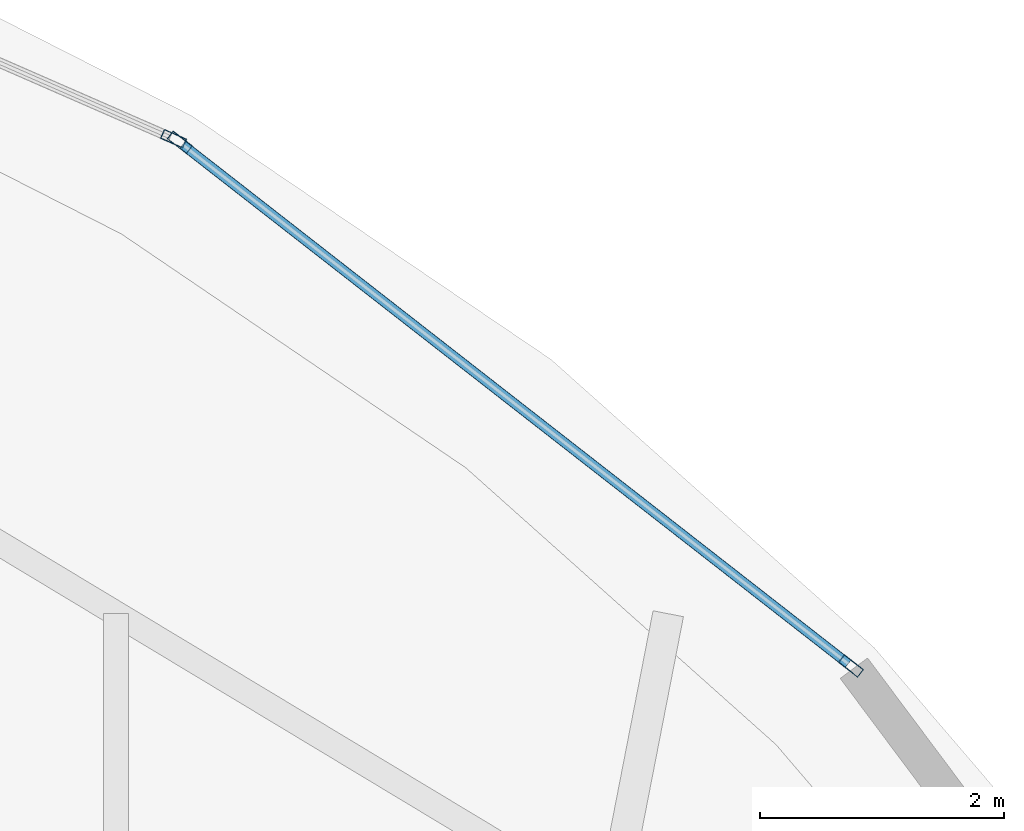
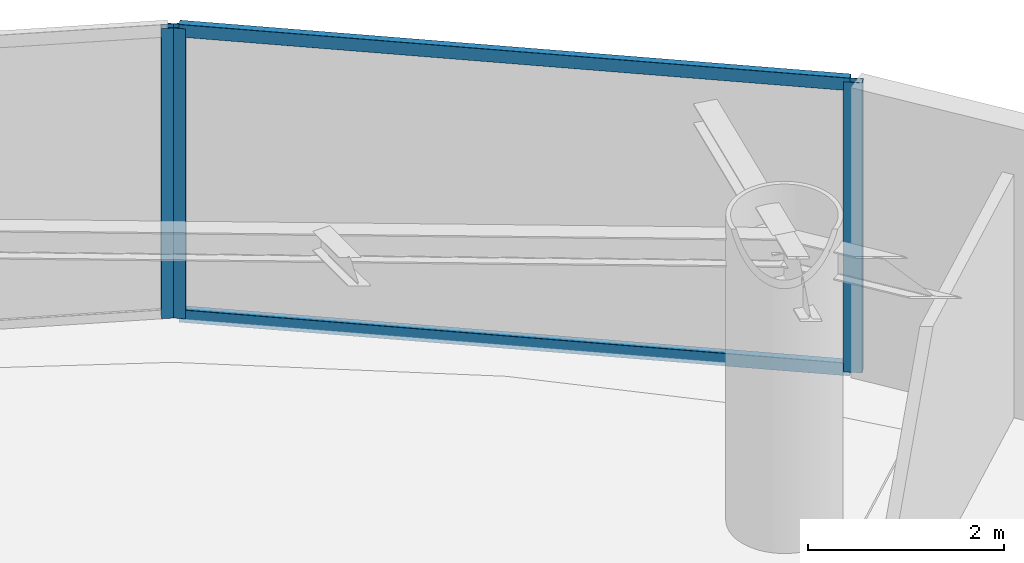
# One storey, part 14 of 22: 5 members, 2 elements without a shape of their own.
"""IFC4 building model written with IfcOpenShell, lengths in metres."""

from ifc_helpers import new_model, si_unit, direction, frame, origin, origin_2d, place, context, subcontext, project, spatial, hollow_rectangle, extrude, material, layer, layer_set, material_profile, profile_set, type_object, element, aggregate, save


model = new_model("IFC4")

# Units and contexts
model_context = context("Model", 3, precision=1e-05, world=origin(), true_north=direction((0.0, 1.0)))
body_context = subcontext(model_context, "Body", "Model", "MODEL_VIEW")
ifc_project = project(units=[si_unit("LENGTHUNIT", "METRE"), si_unit("AREAUNIT", "SQUARE_METRE"), si_unit("VOLUMEUNIT", "CUBIC_METRE"), si_unit("PLANEANGLEUNIT", "RADIAN"), si_unit("MASSUNIT", "GRAM", prefix="KILO")], contexts=[model_context])

# Site, building, storey
site_placement = place(None, origin())
site = spatial("IfcSite", under=ifc_project, at=site_placement, CompositionType="ELEMENT")
building_placement = place(site_placement, origin())
building = spatial("IfcBuilding", under=site, at=building_placement, Name="Bramvorn Convention Spire", CompositionType="ELEMENT")
storey_placement = place(building_placement, frame((0.0, 0.0, 213.550048828125)))
storey = spatial("IfcBuildingStorey", under=building, at=storey_placement, Name="L54", CompositionType="ELEMENT", Elevation=213.550048828125)

# Curtain wall, members
ifc_material_1 = material(Name="Anodised Bronze Unitised Curtain Wall", Category="aluminium")
ifc_layer = layer(ifc_material_1, 0.179931640625)
ifc_layer_set = layer_set([ifc_layer], Name="Anodised Bronze Unitised Curtain Wall - CW-OFF-FRIT")
curtain_wall_type = type_object("IfcCurtainWallType", Name="CW-OFF-FRIT", PredefinedType="USERDEFINED", material=ifc_layer_set)
curtain_wall_1_placement = place(storey_placement, origin())
curtain_wall_1 = element("IfcCurtainWall", 1, at=curtain_wall_1_placement, inside=storey, type_object=curtain_wall_type, Name="L54 fritted glass curtain wall 07", ObjectType="UNITISED CURTAIN WALL", PredefinedType="USERDEFINED")
ifc_material_2 = material(Name="Anodised Bronze Aluminium 6063-T6", Category="aluminium")
ifc_material_profile_1 = material_profile(ifc_material_2, hollow_rectangle(XDim=0.080078125, YDim=0.199951171875, WallThickness=0.00390625, InnerFilletRadius=0.0009765625, OuterFilletRadius=0.00390625, at=origin_2d()))
ifc_profile_set_1 = profile_set([ifc_material_profile_1], Name="Anodised Bronze Aluminium 6063-T6 - CWM80X200")
member_type_1 = type_object("IfcMemberType", Name="CW-MUL-180", PredefinedType="MULLION", material=ifc_profile_set_1)
member_1_placement = place(storey_placement, frame((46.96875, 46.1943359375, 0.0), z_axis=(0.0, 0.0, 1.0), x_axis=(0.615039564221, 0.788496248846, 0.0)))
member_1 = element("IfcMember", 2, at=member_1_placement, type_object=member_type_1, Name="CW3 mullion 1", PredefinedType="MULLION", context=body_context, shape_type="SweptSolid", body=[
    extrude(hollow_rectangle(XDim=0.080078125, YDim=0.199951171875, WallThickness=0.00390625, InnerFilletRadius=0.0009765625, OuterFilletRadius=0.00390625, at=origin_2d()), origin(), (0.0, 0.0, 1.0), 3.619873046875),
])
member_2_placement = place(storey_placement, frame((52.476806640625, 41.89794921875, 0.0), z_axis=(0.0, 0.0, 1.0), x_axis=(0.615039564221, 0.788496248846, 0.0)))
member_2 = element("IfcMember", 3, at=member_2_placement, type_object=member_type_1, Name="CW3 mullion 2", PredefinedType="MULLION", context=body_context, shape_type="SweptSolid", body=[
    extrude(hollow_rectangle(XDim=0.080078125, YDim=0.199951171875, WallThickness=0.00390625, InnerFilletRadius=0.0009765625, OuterFilletRadius=0.00390625, at=origin_2d()), origin(), (0.0, 0.0, 1.0), 3.619873046875),
])

# Curtain wall, member
curtain_wall_2_placement = place(storey_placement, origin())
curtain_wall_2 = element("IfcCurtainWall", 4, at=curtain_wall_2_placement, inside=storey, type_object=curtain_wall_type, Name="L54 fritted glass curtain wall 08", ObjectType="UNITISED CURTAIN WALL", PredefinedType="USERDEFINED")
member_3_placement = place(storey_placement, frame((46.91748046875, 46.224609375, 0.0), z_axis=(0.0, 0.0, 1.0), x_axis=(0.400494377625, 0.916299216136, 0.0)))
member_3 = element("IfcMember", 5, at=member_3_placement, type_object=member_type_1, Name="CW3 mullion 2", PredefinedType="MULLION", context=body_context, shape_type="SweptSolid", body=[
    extrude(hollow_rectangle(XDim=0.080078125, YDim=0.199951171875, WallThickness=0.00390625, InnerFilletRadius=0.0009765625, OuterFilletRadius=0.00390625, at=origin_2d()), origin(), (0.0, 0.0, 1.0), 3.619873046875),
])
aggregate(curtain_wall_2, [member_3])

# Member
ifc_material_profile_2 = material_profile(ifc_material_2, hollow_rectangle(XDim=0.080078125, YDim=0.159912109375, WallThickness=0.00390625, InnerFilletRadius=0.0009765625, OuterFilletRadius=0.00390625, at=origin_2d()))
ifc_profile_set_2 = profile_set([ifc_material_profile_2], Name="Anodised Bronze Aluminium 6063-T6 - CWT80X160")
member_type_2 = type_object("IfcMemberType", Name="CW-TRN-150", PredefinedType="USERDEFINED", material=ifc_profile_set_2)
member_4_placement = place(storey_placement, frame((46.992431640625, 46.17578125, 0.030029296875), z_axis=(0.788489654977, -0.615048017633, 0.0), x_axis=(0.615048017633, 0.788489654977, 0.0)))
member_4 = element("IfcMember", 6, at=member_4_placement, type_object=member_type_2, Name="CW3 transom 1.1", ObjectType="TRANSOM", PredefinedType="USERDEFINED", context=body_context, shape_type="SweptSolid", body=[
    extrude(hollow_rectangle(XDim=0.080078125, YDim=0.159912109375, WallThickness=0.00390625, InnerFilletRadius=0.0009765625, OuterFilletRadius=0.00390625, at=origin_2d()), origin(), (0.0, 0.0, 1.0), 6.925537109375),
])

member_5_placement = place(storey_placement, frame((46.992431640625, 46.17578125, 3.58984375), z_axis=(0.788489654977, -0.615048017633, 0.0), x_axis=(0.615048017633, 0.788489654977, 0.0)))
member_5 = element("IfcMember", 7, at=member_5_placement, type_object=member_type_2, Name="CW3 transom 1.2", ObjectType="TRANSOM", PredefinedType="USERDEFINED", context=body_context, shape_type="SweptSolid", body=[
    extrude(hollow_rectangle(XDim=0.080078125, YDim=0.159912109375, WallThickness=0.00390625, InnerFilletRadius=0.0009765625, OuterFilletRadius=0.00390625, at=origin_2d()), origin(), (0.0, 0.0, 1.0), 6.925537109375),
])

aggregate(curtain_wall_1, [member_1, member_2, member_4, member_5])

save(model, "model.ifc")
